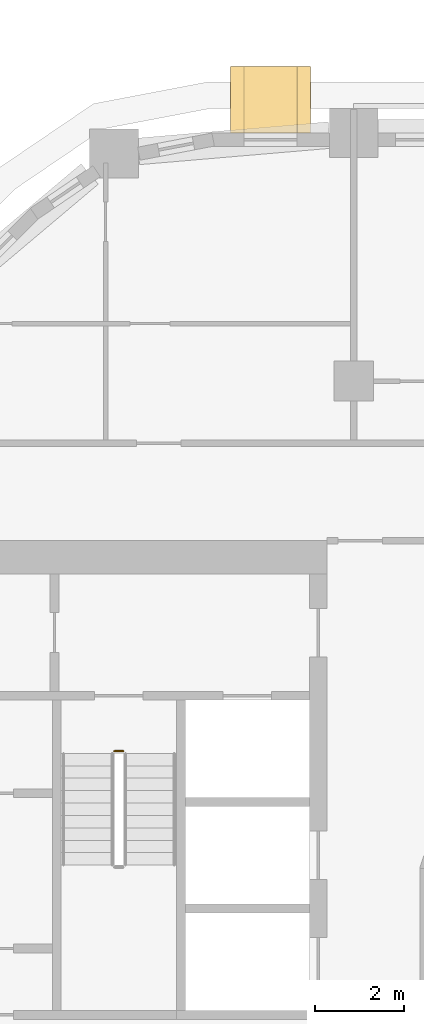
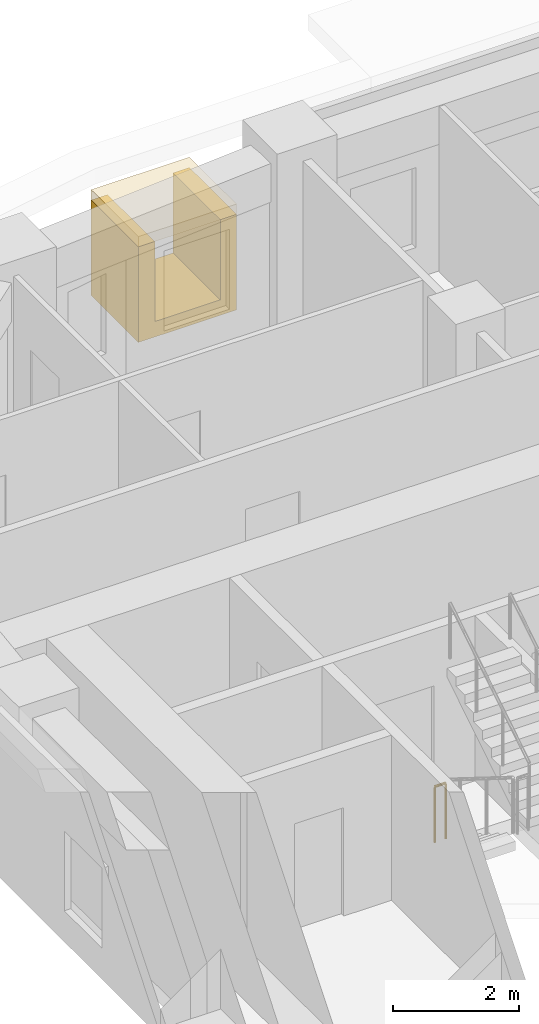
# One storey, part 20 of 22: 2 coverings, 1 railing.
"""IFC4 building model written with IfcOpenShell, lengths in metres."""

from ifc_helpers import new_model, si_unit, direction, frame, origin, origin_2d, place, context, subcontext, project, spatial, polyline, rectangle, circle, outline, extrude, material, layer, layer_set, type_object, element, save


model = new_model("IFC4")

# Units and contexts
model_context = context("Model", 3, precision=1e-05, world=origin(), true_north=direction((0.0, 1.0)))
body_context = subcontext(model_context, "Body", "Model", "MODEL_VIEW")
ifc_project = project(units=[si_unit("LENGTHUNIT", "METRE"), si_unit("AREAUNIT", "SQUARE_METRE"), si_unit("VOLUMEUNIT", "CUBIC_METRE"), si_unit("PLANEANGLEUNIT", "RADIAN"), si_unit("MASSUNIT", "GRAM", prefix="KILO")], contexts=[model_context])

# Site, building, storey
site_placement = place(None, origin())
site = spatial("IfcSite", under=ifc_project, at=site_placement, CompositionType="ELEMENT")
building_placement = place(site_placement, origin())
building = spatial("IfcBuilding", under=site, at=building_placement, Name="Kiln Ring Residences", CompositionType="ELEMENT")
storey_placement = place(building_placement, frame((0.0, 0.0, 150.10009765625)))
storey = spatial("IfcBuildingStorey", under=building, at=storey_placement, Name="L38", CompositionType="ELEMENT", Elevation=150.10009765625)

# Railing
ifc_material_1 = material(Name="Stainless steel", Category="steel")
railing_type = type_object("IfcRailingType", Name="CORE-STAIR-GUARD", PredefinedType="GUARDRAIL", material=ifc_material_1)
railing_placement = place(storey_placement, frame((-22.199951171875, 8.449951171875, 0.0)))
element("IfcRailing", 1, at=railing_placement, inside=storey, type_object=railing_type, Name="L38 W-STN stair guard 4", PredefinedType="GUARDRAIL", context=body_context, shape_type="SweptSolid", body=[
    extrude(circle(Radius=0.02392578125, at=origin_2d()), frame((0.0, 0.0, 1.076171875), z_axis=(1.0, 0.0, 0.0), x_axis=(0.0, 1.0, 0.0)), (0.0, 0.0, 1.0), 0.199951171875),
    extrude(circle(Radius=0.02099609375, at=origin_2d()), origin(), (0.0, 0.0, 1.0), 1.052001953125),
    extrude(circle(Radius=0.02099609375, at=origin_2d()), frame((0.199951171875, 0.0, 0.0)), (0.0, 0.0, 1.0), 1.052001953125),
])

# Coverings
ifc_material_2 = material(Name="Brick masonry, dark clay brick", Category="masonry")
ifc_layer_1 = layer(ifc_material_2, 0.300048828125)
ifc_layer_set_1 = layer_set([ifc_layer_1], Name="FRAME CHEEKS AND SILL 1500")
covering_type_1 = type_object("IfcCoveringType", Name="FRAME CHEEKS AND SILL 1500", PredefinedType="CLADDING", material=ifc_layer_set_1)
covering_1_placement = place(storey_placement, frame((-17.77490234375, 23.14990234375, 0.2998046875), z_axis=(0.0, 0.0, 1.0), x_axis=(-1.0, 0.0, 0.0)))
element("IfcCovering", 2, at=covering_1_placement, inside=storey, type_object=covering_type_1, Name="FRAME L38", PredefinedType="CLADDING", context=body_context, shape_type="SweptSolid", body=[
    extrude(outline(polyline([(0.0, 0.0), (1.800048828125, 0.0), (1.800048828125, 1.85009765625), (1.5009765625, 1.85009765625), (1.5, 0.300048828125), (0.300048828125, 0.300048828125), (0.299072265625, 1.85009765625), (0.0, 1.85009765625), (0.0, 0.0)])), frame((0.0, 0.75, 0.0), z_axis=(0.0, -1.0, 0.0), x_axis=(1.0, 0.0, 0.0)), (0.0, 0.0, 1.0), 1.5),
])
ifc_material_3 = material(Name="Brick masonry, dark clay brick", Category="masonry")
ifc_layer_2 = layer(ifc_material_3, 0.199951171875)
ifc_layer_set_2 = layer_set([ifc_layer_2], Name="FRAME HEAD 1500")
covering_type_2 = type_object("IfcCoveringType", Name="FRAME HEAD 1500", PredefinedType="CLADDING", material=ifc_layer_set_2)
covering_2_placement = place(storey_placement, frame((-18.675048828125, 23.14990234375, 2.14990234375), z_axis=(0.0, 0.0, 1.0), x_axis=(-1.0, 0.0, 0.0)))
element("IfcCovering", 3, at=covering_2_placement, inside=storey, type_object=covering_type_2, Name="FRAME HEAD L38", PredefinedType="CLADDING", context=body_context, shape_type="SweptSolid", body=[
    extrude(rectangle(XDim=1.800048828125, YDim=1.5, at=origin_2d()), origin(), (0.0, 0.0, 1.0), 0.199951171875),
])

save(model, "model.ifc")
